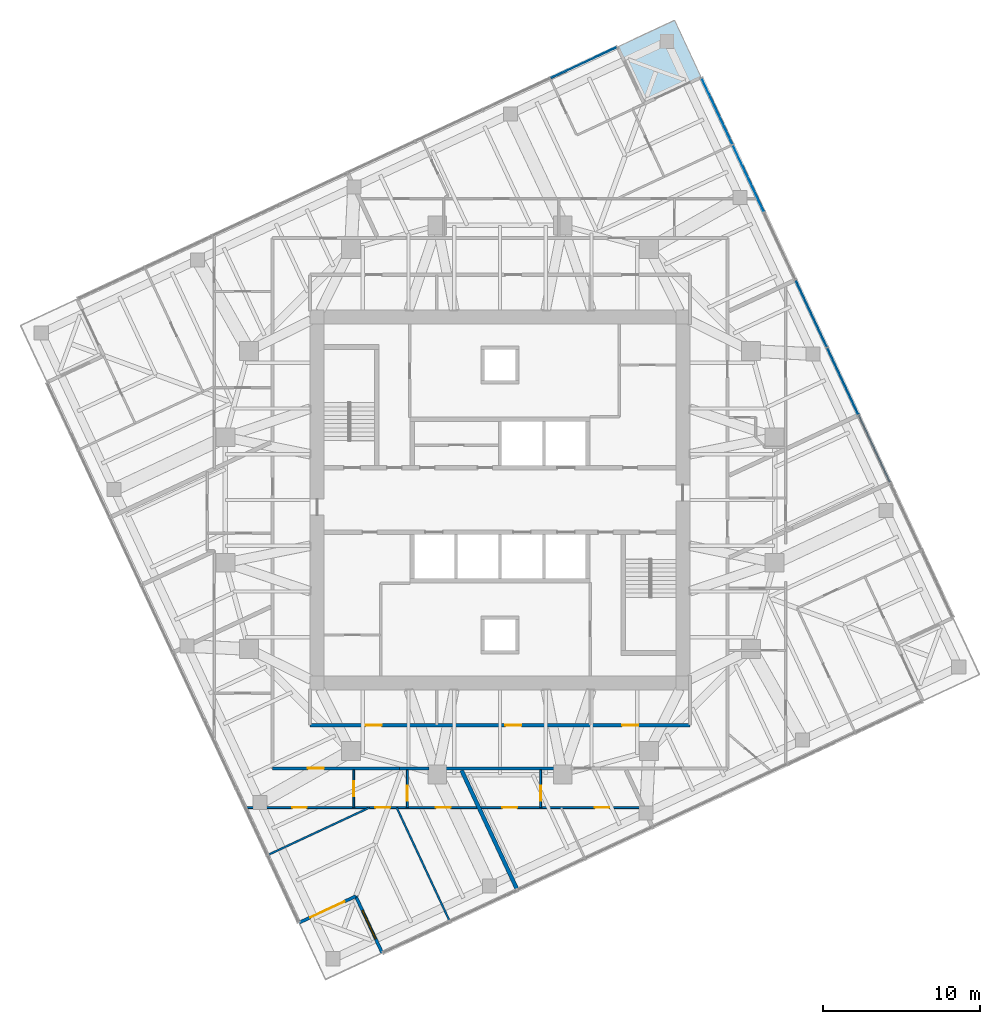
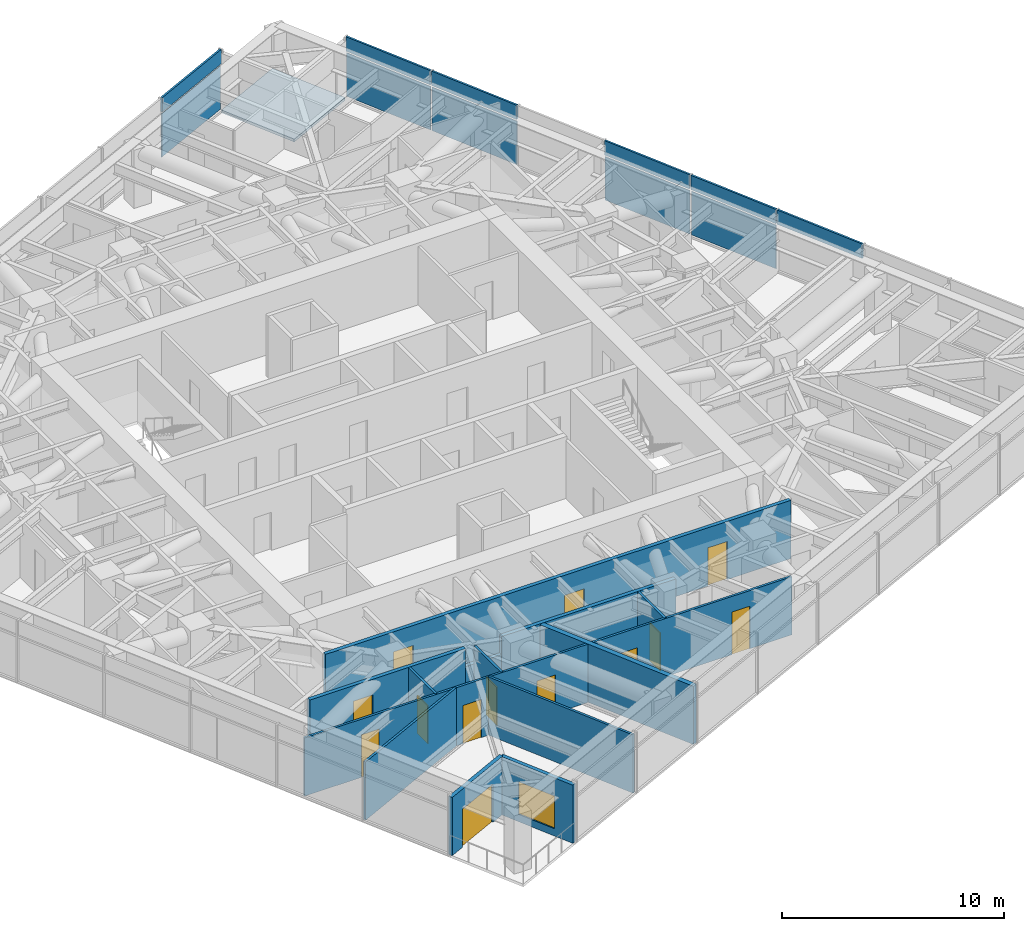
# One storey, part 9 of 16: 13 doors, 13 walls, 11 plates, 1 slab, 1 window, 14 openings, 2 elements without a shape of their own.
"""IFC4 building model written with IfcOpenShell, lengths in metres."""

from ifc_helpers import new_model, si_unit, direction, frame, frame_2d, origin, origin_2d, place, context, subcontext, project, spatial, polyline, rectangle, outline, extrude, material, layer, layer_set, type_object, element, fill, aggregate, save


model = new_model("IFC4")

# Units and contexts
model_context = context("Model", 3, precision=1e-05, world=origin(), true_north=direction((0.0, 1.0)))
body_context = subcontext(model_context, "Body", "Model", "MODEL_VIEW")
ifc_project = project(units=[si_unit("LENGTHUNIT", "METRE"), si_unit("AREAUNIT", "SQUARE_METRE"), si_unit("VOLUMEUNIT", "CUBIC_METRE"), si_unit("PLANEANGLEUNIT", "RADIAN"), si_unit("MASSUNIT", "GRAM", prefix="KILO")], contexts=[model_context])

# Site, building, storey
site_placement = place(None, origin())
site = spatial("IfcSite", under=ifc_project, at=site_placement, CompositionType="ELEMENT")
building_placement = place(site_placement, origin())
building = spatial("IfcBuilding", under=site, at=building_placement, Name="Torsade Residences", CompositionType="ELEMENT")
storey_placement = place(building_placement, frame((0.0, 0.0, 199.800048828125)))
storey = spatial("IfcBuildingStorey", under=building, at=storey_placement, Name="L55", CompositionType="ELEMENT", Elevation=199.800048828125)

# Curtain wall, plates
ifc_material_1 = material(Name="Aluminium and glass", Category="aluminium")
curtain_wall_type = type_object("IfcCurtainWallType", Name="FRITTED GLASS CURTAIN WALL MID ZONE", PredefinedType="NOTDEFINED", material=ifc_material_1)
curtain_wall_1_placement = place(storey_placement, origin())
curtain_wall_1 = element("IfcCurtainWall", 1, at=curtain_wall_1_placement, inside=storey, type_object=curtain_wall_type, Name="Curtain wall L55 face 4", PredefinedType="NOTDEFINED")
ifc_material_2 = material(Name="Laminated glass", Category="glass")
ifc_layer_1 = layer(ifc_material_2, 0.031982421875)
ifc_layer_set_1 = layer_set([ifc_layer_1], Name="Laminated glass")
plate_type_1 = type_object("IfcPlateType", Name="FRITTED GLASS PANEL", PredefinedType="CURTAIN_PANEL", material=ifc_layer_set_1)
plate_1_placement = place(storey_placement, frame((61.848876953125, 37.567626953125, 0.10986328125), z_axis=(0.0, 0.0, 1.0), x_axis=(-0.422618261978, 0.906307786926, 0.0)))
plate_1 = element("IfcPlate", 2, at=plate_1_placement, type_object=plate_type_1, Name="Panel 4", PredefinedType="CURTAIN_PANEL", context=body_context, shape_type="SweptSolid", body=[
    extrude(rectangle(XDim=4.669921875, YDim=0.031982421875, at=origin_2d()), origin(), (0.0, 0.0, 1.0), 2.389892578125),
])
plate_2_placement = place(storey_placement, frame((59.84130859375, 41.872802734375, 0.10986328125), z_axis=(0.0, 0.0, 1.0), x_axis=(-0.422618261978, 0.906307786926, 0.0)))
plate_2 = element("IfcPlate", 3, at=plate_2_placement, type_object=plate_type_1, Name="Panel 5", PredefinedType="CURTAIN_PANEL", context=body_context, shape_type="SweptSolid", body=[
    extrude(rectangle(XDim=4.669921875, YDim=0.031982421875, at=origin_2d()), origin(), (0.0, 0.0, 1.0), 2.389892578125),
])
plate_3_placement = place(storey_placement, frame((55.826416015625, 50.482666015625, 0.10986328125), z_axis=(0.0, 0.0, 1.0), x_axis=(-0.422618261978, 0.906307786926, 0.0)))
plate_3 = element("IfcPlate", 4, at=plate_3_placement, type_object=plate_type_1, Name="Panel 7", PredefinedType="CURTAIN_PANEL", context=body_context, shape_type="SweptSolid", body=[
    extrude(rectangle(XDim=4.669921875, YDim=0.031982421875, at=origin_2d()), origin(), (0.0, 0.0, 1.0), 2.389892578125),
])
plate_4_placement = place(storey_placement, frame((53.827392578125, 54.76953125, 0.10986328125), z_axis=(0.0, 0.0, 1.0), x_axis=(-0.422618261978, 0.906307786926, 0.0)))
plate_4 = element("IfcPlate", 5, at=plate_4_placement, type_object=plate_type_1, Name="Panel 8", PredefinedType="CURTAIN_PANEL", context=body_context, shape_type="SweptSolid", body=[
    extrude(rectangle(XDim=4.6298828125, YDim=0.031982421875, at=origin_2d()), origin(), (0.0, 0.0, 1.0), 2.389892578125),
])

# Curtain wall, plate
curtain_wall_2_placement = place(storey_placement, origin())
curtain_wall_2 = element("IfcCurtainWall", 6, at=curtain_wall_2_placement, inside=storey, type_object=curtain_wall_type, Name="Curtain wall L55 face 7", PredefinedType="NOTDEFINED")
plate_5_placement = place(storey_placement, frame((45.3291015625, 57.862548828125, 0.10986328125), z_axis=(0.0, 0.0, 1.0), x_axis=(-0.906307786926, -0.422618261978, 0.0)))
plate_5 = element("IfcPlate", 7, at=plate_5_placement, type_object=plate_type_1, Name="Panel 1", PredefinedType="CURTAIN_PANEL", context=body_context, shape_type="SweptSolid", body=[
    extrude(rectangle(XDim=4.6298828125, YDim=0.031982421875, at=origin_2d()), origin(), (0.0, 0.0, 1.0), 2.389892578125),
])

# Plate
ifc_material_3 = material(Name="Aluminium composite spandrel panel", Category="aluminium")
ifc_layer_2 = layer(ifc_material_3, 0.10009765625)
ifc_layer_set_2 = layer_set([ifc_layer_2], Name="Aluminium composite spandrel panel")
plate_type_2 = type_object("IfcPlateType", Name="OPAQUE SPANDREL PANEL", PredefinedType="CURTAIN_PANEL", material=ifc_layer_set_2)
plate_6_placement = place(storey_placement, frame((63.856201171875, 33.2626953125, 2.60986328125), z_axis=(0.0, 0.0, 1.0), x_axis=(-0.422618261978, 0.906307786926, 0.0)))
plate_6 = element("IfcPlate", 8, at=plate_6_placement, type_object=plate_type_2, Name="Spandrel panel 3", PredefinedType="CURTAIN_PANEL", context=body_context, shape_type="SweptSolid", body=[
    extrude(rectangle(XDim=4.669921875, YDim=0.10009765625, at=origin_2d()), origin(), (0.0, 0.0, 1.0), 0.7900390625),
])

plate_7_placement = place(storey_placement, frame((61.848876953125, 37.567626953125, 2.60986328125), z_axis=(0.0, 0.0, 1.0), x_axis=(-0.422618261978, 0.906307786926, 0.0)))
plate_7 = element("IfcPlate", 9, at=plate_7_placement, type_object=plate_type_2, Name="Spandrel panel 4", PredefinedType="CURTAIN_PANEL", context=body_context, shape_type="SweptSolid", body=[
    extrude(rectangle(XDim=4.669921875, YDim=0.10009765625, at=origin_2d()), origin(), (0.0, 0.0, 1.0), 0.7900390625),
])

plate_8_placement = place(storey_placement, frame((59.84130859375, 41.872802734375, 2.60986328125), z_axis=(0.0, 0.0, 1.0), x_axis=(-0.422618261978, 0.906307786926, 0.0)))
plate_8 = element("IfcPlate", 10, at=plate_8_placement, type_object=plate_type_2, Name="Spandrel panel 5", PredefinedType="CURTAIN_PANEL", context=body_context, shape_type="SweptSolid", body=[
    extrude(rectangle(XDim=4.669921875, YDim=0.10009765625, at=origin_2d()), origin(), (0.0, 0.0, 1.0), 0.7900390625),
])

plate_9_placement = place(storey_placement, frame((55.826416015625, 50.482666015625, 2.60986328125), z_axis=(0.0, 0.0, 1.0), x_axis=(-0.422618261978, 0.906307786926, 0.0)))
plate_9 = element("IfcPlate", 11, at=plate_9_placement, type_object=plate_type_2, Name="Spandrel panel 7", PredefinedType="CURTAIN_PANEL", context=body_context, shape_type="SweptSolid", body=[
    extrude(rectangle(XDim=4.669921875, YDim=0.10009765625, at=origin_2d()), origin(), (0.0, 0.0, 1.0), 0.7900390625),
])

plate_10_placement = place(storey_placement, frame((53.827392578125, 54.76953125, 2.60986328125), z_axis=(0.0, 0.0, 1.0), x_axis=(-0.422618261978, 0.906307786926, 0.0)))
plate_10 = element("IfcPlate", 12, at=plate_10_placement, type_object=plate_type_2, Name="Spandrel panel 8", PredefinedType="CURTAIN_PANEL", context=body_context, shape_type="SweptSolid", body=[
    extrude(rectangle(XDim=4.6298828125, YDim=0.10009765625, at=origin_2d()), origin(), (0.0, 0.0, 1.0), 0.7900390625),
])

aggregate(curtain_wall_1, [plate_6, plate_1, plate_7, plate_2, plate_8, plate_3, plate_9, plate_4, plate_10])

plate_11_placement = place(storey_placement, frame((45.3291015625, 57.862548828125, 2.60986328125), z_axis=(0.0, 0.0, 1.0), x_axis=(-0.906307786926, -0.422618261978, 0.0)))
plate_11 = element("IfcPlate", 13, at=plate_11_placement, type_object=plate_type_2, Name="Spandrel panel 1", PredefinedType="CURTAIN_PANEL", context=body_context, shape_type="SweptSolid", body=[
    extrude(rectangle(XDim=4.6298828125, YDim=0.10009765625, at=origin_2d()), origin(), (0.0, 0.0, 1.0), 0.7900390625),
])

aggregate(curtain_wall_2, [plate_5, plate_11])

# Slab
ifc_material_4 = material(Name="Concrete 40 MPa", Category="concrete")
ifc_layer_3 = layer(ifc_material_4, 0.14990234375)
ifc_layer_set_3 = layer_set([ifc_layer_3], Name="Concrete 40 MPa")
slab_type = type_object("IfcSlabType", Name="TERRACE SLAB 150", PredefinedType="FLOOR", material=ifc_layer_set_3)
slab_placement = place(storey_placement, frame((0.0, 0.0, -0.150146484375)))
element("IfcSlab", 14, at=slab_placement, inside=storey, type_object=slab_type, Name="Corner terrace slab NE L55", PredefinedType="FLOOR", context=body_context, shape_type="SweptSolid", body=[
    extrude(outline(polyline([(49.190185546875, 55.24951171875), (52.8154296875, 56.940185546875), (51.124755859375, 60.565185546875), (47.49951171875, 58.874755859375), (49.190185546875, 55.24951171875)])), origin(), (0.0, 0.0, 1.0), 0.150146484375),
])

# Wall, opening, door
ifc_material_5 = material(Name="Plasterboard on steel stud", Category="steel")
ifc_layer_4 = layer(ifc_material_5, 0.199951171875)
ifc_layer_set_4 = layer_set([ifc_layer_4], Name="Plasterboard on steel stud")
wall_type_1 = type_object("IfcWallType", Name="CORRIDOR WALL 200", PredefinedType="PARTITIONING", material=ifc_layer_set_4)
wall_1_placement = place(storey_placement, frame((25.5, 12.89990234375, 0.0), z_axis=(0.0, 0.0, 1.0), x_axis=(1.0, 0.0, 0.0)))
wall_1 = element("IfcWall", 15, at=wall_1_placement, inside=storey, type_object=wall_type_1, Name="Corridor wall L55", PredefinedType="PARTITIONING", context=body_context, shape_type="SweptSolid", body=[
    extrude(rectangle(XDim=8.0966796875, YDim=0.199951171875, at=frame_2d((4.04833984375, 0.0))), origin(), (0.0, 0.0, 1.0), 3.199951171875),
])
opening_1_placement = place(wall_1_placement, frame((2.253662109375, 0.0, 0.0)))
opening_1 = element("IfcOpeningElement", 16, at=opening_1_placement, cuts=wall_1, Name="Opening D01", PredefinedType="OPENING", context=body_context, shape_type="SweptSolid", body=[
    extrude(rectangle(XDim=1.02001953125, YDim=2.340087890625, at=frame_2d((0.510009765625, 1.169921875))), frame((0.0, 0.10986328125, 0.0), z_axis=(0.0, -1.0, 0.0), x_axis=(1.0, 0.0, 0.0)), (0.0, 0.0, 1.0), 0.219970703125),
])
ifc_material_6 = material(Name="Solid-core timber fire door", Category="wood")
door_type_1 = type_object("IfcDoorType", Name="APARTMENT ENTRY DOOR 1020x2340", OperationType="NOTDEFINED", PredefinedType="DOOR", material=ifc_material_6)
door_1_placement = place(opening_1_placement, origin())
door_1 = element("IfcDoor", 17, at=door_1_placement, inside=storey, type_object=door_type_1, Name="Door Residential corridor to Kitchen and dining", OperationType="SINGLE_SWING_LEFT", OverallHeight=2.340087890625, OverallWidth=1.02001953125, PredefinedType="DOOR", context=body_context, shape_type="SweptSolid", body=[
    extrude(rectangle(XDim=1.02001953125, YDim=2.340087890625, at=frame_2d((0.510009765625, 1.169921875))), frame((0.0, 0.02490234375, 0.0), z_axis=(0.0, -1.0, 0.0), x_axis=(1.0, 0.0, 0.0)), (0.0, 0.0, 1.0), 0.050048828125),
])
fill(opening_1, door_1)

# Walls
wall_2_placement = place(storey_placement, frame((33.5966796875, 12.89990234375, 0.0), z_axis=(0.0, 0.0, 1.0), x_axis=(1.0, 0.0, 0.0)))
element("IfcWall", 18, at=wall_2_placement, inside=storey, type_object=wall_type_1, Name="Corridor wall L55", PredefinedType="PARTITIONING", context=body_context, shape_type="SweptSolid", body=[
    extrude(rectangle(XDim=1.873291015625, YDim=0.199951171875, at=frame_2d((0.9365234375, 0.0))), origin(), (0.0, 0.0, 1.0), 2.199951171875),
])
wall_3_placement = place(storey_placement, frame((35.469970703125, 12.89990234375, 0.0), z_axis=(0.0, 0.0, 1.0), x_axis=(1.0, 0.0, 0.0)))
element("IfcWall", 19, at=wall_3_placement, inside=storey, type_object=wall_type_1, Name="Corridor wall L55", PredefinedType="PARTITIONING", context=body_context, shape_type="SweptSolid", body=[
    extrude(rectangle(XDim=9.06005859375, YDim=0.199951171875, at=frame_2d((4.530029296875, 0.0))), origin(), (0.0, 0.0, 1.0), 3.199951171875),
])

# Wall, openings, doors
wall_4_placement = place(storey_placement, frame((27.89990234375, 15.64990234375, 0.0), z_axis=(0.0, 0.0, 1.0), x_axis=(1.0, 0.0, 0.0)))
wall_4 = element("IfcWall", 20, at=wall_4_placement, inside=storey, type_object=wall_type_1, Name="Corridor wall L55", PredefinedType="PARTITIONING", context=body_context, shape_type="SweptSolid", body=[
    extrude(rectangle(XDim=24.2001953125, YDim=0.199951171875, at=frame_2d((12.10009765625, 0.0))), origin(), (0.0, 0.0, 1.0), 3.199951171875),
])
opening_2_placement = place(wall_4_placement, frame((12.43701171875, 0.0, 0.0)))
opening_2 = element("IfcOpeningElement", 21, at=opening_2_placement, cuts=wall_4, Name="Opening D03", PredefinedType="OPENING", context=body_context, shape_type="SweptSolid", body=[
    extrude(rectangle(XDim=1.02001953125, YDim=2.10009765625, at=frame_2d((0.510009765625, 1.050048828125))), frame((0.0, 0.10986328125, 0.0), z_axis=(0.0, -1.0, 0.0), x_axis=(1.0, 0.0, 0.0)), (0.0, 0.0, 1.0), 0.219970703125),
])
opening_3_placement = place(wall_4_placement, frame((3.544189453125, 0.0, 0.0)))
opening_3 = element("IfcOpeningElement", 22, at=opening_3_placement, cuts=wall_4, Name="Opening D03", PredefinedType="OPENING", context=body_context, shape_type="SweptSolid", body=[
    extrude(rectangle(XDim=1.02001953125, YDim=2.10009765625, at=frame_2d((0.510009765625, 1.050048828125))), frame((0.0, 0.10986328125, 0.0), z_axis=(0.0, -1.0, 0.0), x_axis=(1.0, 0.0, 0.0)), (0.0, 0.0, 1.0), 0.219970703125),
])
opening_4_placement = place(wall_4_placement, frame((19.8828125, 0.0, 0.0)))
opening_4 = element("IfcOpeningElement", 23, at=opening_4_placement, cuts=wall_4, Name="Opening D03", PredefinedType="OPENING", context=body_context, shape_type="SweptSolid", body=[
    extrude(rectangle(XDim=1.02001953125, YDim=2.10009765625, at=frame_2d((0.510009765625, 1.050048828125))), frame((0.0, 0.10986328125, 0.0), z_axis=(0.0, -1.0, 0.0), x_axis=(1.0, 0.0, 0.0)), (0.0, 0.0, 1.0), 0.219970703125),
])
ifc_material_7 = material(Name="Steel-framed fire door", Category="steel")
door_type_2 = type_object("IfcDoorType", Name="FIRE DOOR 1020", OperationType="NOTDEFINED", PredefinedType="DOOR", material=ifc_material_7)
door_2_placement = place(opening_2_placement, origin())
door_2 = element("IfcDoor", 24, at=door_2_placement, inside=storey, type_object=door_type_2, Name="Door Residential corridor to Bulk store", OperationType="SINGLE_SWING_RIGHT", OverallHeight=2.10009765625, OverallWidth=1.02001953125, PredefinedType="DOOR", context=body_context, shape_type="SweptSolid", body=[
    extrude(rectangle(XDim=1.02001953125, YDim=2.10009765625, at=frame_2d((0.510009765625, 1.050048828125))), frame((0.0, 0.02490234375, 0.0), z_axis=(0.0, -1.0, 0.0), x_axis=(1.0, 0.0, 0.0)), (0.0, 0.0, 1.0), 0.050048828125),
])
fill(opening_2, door_2)
door_3_placement = place(opening_3_placement, origin())
door_3 = element("IfcDoor", 25, at=door_3_placement, inside=storey, type_object=door_type_2, Name="Door Residential corridor to Residents storage", OperationType="SINGLE_SWING_RIGHT", OverallHeight=2.10009765625, OverallWidth=1.02001953125, PredefinedType="DOOR", context=body_context, shape_type="SweptSolid", body=[
    extrude(rectangle(XDim=1.02001953125, YDim=2.10009765625, at=frame_2d((0.510009765625, 1.050048828125))), frame((0.0, 0.02490234375, 0.0), z_axis=(0.0, -1.0, 0.0), x_axis=(1.0, 0.0, 0.0)), (0.0, 0.0, 1.0), 0.050048828125),
])
fill(opening_3, door_3)
door_4_placement = place(opening_4_placement, origin())
door_4 = element("IfcDoor", 26, at=door_4_placement, inside=storey, type_object=door_type_2, Name="Door Residential corridor to Parcel room", OperationType="SINGLE_SWING_LEFT", OverallHeight=2.10009765625, OverallWidth=1.02001953125, PredefinedType="DOOR", context=body_context, shape_type="SweptSolid", body=[
    extrude(rectangle(XDim=1.02001953125, YDim=2.10009765625, at=frame_2d((0.510009765625, 1.050048828125))), frame((0.0, 0.02490234375, 0.0), z_axis=(0.0, -1.0, 0.0), x_axis=(1.0, 0.0, 0.0)), (0.0, 0.0, 1.0), 0.050048828125),
])
fill(opening_4, door_4)

# Wall, opening, door
ifc_material_8 = material(Name="Plasterboard on steel stud", Category="steel")
ifc_layer_5 = layer(ifc_material_8, 0.1201171875)
ifc_layer_set_5 = layer_set([ifc_layer_5], Name="Plasterboard on steel stud")
wall_type_2 = type_object("IfcWallType", Name="PARTITION 120", PredefinedType="PARTITIONING", material=ifc_layer_set_5)
wall_5_placement = place(storey_placement, frame((30.677490234375, 12.800048828125, 0.0), z_axis=(0.0, 0.0, 1.0), x_axis=(0.0, -1.0, 0.0)))
wall_5 = element("IfcWall", 27, at=wall_5_placement, inside=storey, type_object=wall_type_2, Name="Partition L55", PredefinedType="PARTITIONING", context=body_context, shape_type="SweptSolid", body=[
    extrude(rectangle(XDim=2.400146484375, YDim=0.1201171875, at=frame_2d((1.2001953125, 0.0))), origin(), (0.0, 0.0, 1.0), 3.199951171875),
])
opening_5_placement = place(wall_5_placement, frame((0.719970703125, 0.0, 0.0)))
opening_5 = element("IfcOpeningElement", 28, at=opening_5_placement, cuts=wall_5, Name="Opening D05", PredefinedType="OPENING", context=body_context, shape_type="SweptSolid", body=[
    extrude(rectangle(XDim=0.9599609375, YDim=2.10009765625, at=frame_2d((0.47998046875, 1.050048828125))), frame((0.0, 0.070068359375, 0.0), z_axis=(0.0, -1.0, 0.0), x_axis=(1.0, 0.0, 0.0)), (0.0, 0.0, 1.0), 0.14013671875),
])
ifc_material_9 = material(Name="Hollow-core timber door in a steel cavity frame", Category="steel")
door_type_3 = type_object("IfcDoorType", Name="BATHROOM CAVITY SLIDING DOOR 960", OperationType="SLIDING_TO_LEFT", PredefinedType="DOOR", material=ifc_material_9)
door_5_placement = place(opening_5_placement, origin())
door_5 = element("IfcDoor", 29, at=door_5_placement, inside=storey, type_object=door_type_3, Name="Door Kitchen and dining to Laundry", OperationType="SLIDING_TO_LEFT", OverallHeight=2.10009765625, OverallWidth=0.9599609375, PredefinedType="DOOR", context=body_context, shape_type="SweptSolid", body=[
    extrude(rectangle(XDim=0.9599609375, YDim=2.10009765625, at=frame_2d((0.47998046875, 1.050048828125))), frame((0.0, 0.02490234375, 0.0), z_axis=(0.0, -1.0, 0.0), x_axis=(1.0, 0.0, 0.0)), (0.0, 0.0, 1.0), 0.050048828125),
])
fill(opening_5, door_5)

# Wall, openings, doors
wall_6_placement = place(storey_placement, frame((49.1396484375, 10.39990234375, 0.0), z_axis=(0.0, 0.0, 1.0), x_axis=(-1.0, 0.0, 0.0)))
wall_6 = element("IfcWall", 30, at=wall_6_placement, inside=storey, type_object=wall_type_2, Name="Partition L55", PredefinedType="PARTITIONING", context=body_context, shape_type="SweptSolid", body=[
    extrude(rectangle(XDim=25.33349609375, YDim=0.1201171875, at=frame_2d((12.666748046875, 0.0))), origin(), (0.0, 0.0, 1.0), 3.199951171875),
])
opening_6_placement = place(wall_6_placement, frame((2.18798828125, 0.0, 0.0)))
opening_6 = element("IfcOpeningElement", 31, at=opening_6_placement, cuts=wall_6, Name="Opening D02", PredefinedType="OPENING", context=body_context, shape_type="SweptSolid", body=[
    extrude(rectangle(XDim=0.919921875, YDim=2.340087890625, at=frame_2d((0.4599609375, 1.169921875))), frame((0.0, 0.070068359375, 0.0), z_axis=(0.0, -1.0, 0.0), x_axis=(1.0, 0.0, 0.0)), (0.0, 0.0, 1.0), 0.14013671875),
])
opening_7_placement = place(wall_6_placement, frame((21.4599609375, 0.0, 0.0)))
opening_7 = element("IfcOpeningElement", 32, at=opening_7_placement, cuts=wall_6, Name="Opening D02", PredefinedType="OPENING", context=body_context, shape_type="SweptSolid", body=[
    extrude(rectangle(XDim=0.919921875, YDim=2.340087890625, at=frame_2d((0.4599609375, 1.169921875))), frame((0.0, 0.070068359375, 0.0), z_axis=(0.0, -1.0, 0.0), x_axis=(1.0, 0.0, 0.0)), (0.0, 0.0, 1.0), 0.14013671875),
])
opening_8_placement = place(wall_6_placement, frame((8.034912109375, 0.0, 0.0)))
opening_8 = element("IfcOpeningElement", 33, at=opening_8_placement, cuts=wall_6, Name="Opening D05", PredefinedType="OPENING", context=body_context, shape_type="SweptSolid", body=[
    extrude(rectangle(XDim=0.9599609375, YDim=2.10009765625, at=frame_2d((0.47998046875, 1.050048828125))), frame((0.0, 0.070068359375, 0.0), z_axis=(0.0, -1.0, 0.0), x_axis=(1.0, 0.0, 0.0)), (0.0, 0.0, 1.0), 0.14013671875),
])
opening_9_placement = place(wall_6_placement, frame((16.139892578125, 0.0, 0.0)))
opening_9 = element("IfcOpeningElement", 34, at=opening_9_placement, cuts=wall_6, Name="Opening D05", PredefinedType="OPENING", context=body_context, shape_type="SweptSolid", body=[
    extrude(rectangle(XDim=0.9599609375, YDim=2.10009765625, at=frame_2d((0.47998046875, 1.050048828125))), frame((0.0, 0.070068359375, 0.0), z_axis=(0.0, -1.0, 0.0), x_axis=(1.0, 0.0, 0.0)), (0.0, 0.0, 1.0), 0.14013671875),
])
opening_10_placement = place(wall_6_placement, frame((12.282958984375, 0.0, 0.0)))
opening_10 = element("IfcOpeningElement", 35, at=opening_10_placement, cuts=wall_6, Name="Opening D05", PredefinedType="OPENING", context=body_context, shape_type="SweptSolid", body=[
    extrude(rectangle(XDim=0.9599609375, YDim=2.10009765625, at=frame_2d((0.47998046875, 1.050048828125))), frame((0.0, 0.070068359375, 0.0), z_axis=(0.0, -1.0, 0.0), x_axis=(1.0, 0.0, 0.0)), (0.0, 0.0, 1.0), 0.14013671875),
])
door_6_placement = place(opening_8_placement, origin())
door_6 = element("IfcDoor", 36, at=door_6_placement, inside=storey, type_object=door_type_3, Name="Door Bathroom to Living room", OperationType="SLIDING_TO_LEFT", OverallHeight=2.10009765625, OverallWidth=0.9599609375, PredefinedType="DOOR", context=body_context, shape_type="SweptSolid", body=[
    extrude(rectangle(XDim=0.9599609375, YDim=2.10009765625, at=frame_2d((0.47998046875, 1.050048828125))), frame((0.0, 0.02490234375, 0.0), z_axis=(0.0, -1.0, 0.0), x_axis=(1.0, 0.0, 0.0)), (0.0, 0.0, 1.0), 0.050048828125),
])
fill(opening_8, door_6)
door_7_placement = place(opening_9_placement, origin())
door_7 = element("IfcDoor", 37, at=door_7_placement, inside=storey, type_object=door_type_3, Name="Door Laundry to Living room", OperationType="SLIDING_TO_LEFT", OverallHeight=2.10009765625, OverallWidth=0.9599609375, PredefinedType="DOOR", context=body_context, shape_type="SweptSolid", body=[
    extrude(rectangle(XDim=0.9599609375, YDim=2.10009765625, at=frame_2d((0.47998046875, 1.050048828125))), frame((0.0, 0.02490234375, 0.0), z_axis=(0.0, -1.0, 0.0), x_axis=(1.0, 0.0, 0.0)), (0.0, 0.0, 1.0), 0.050048828125),
])
fill(opening_9, door_7)
door_8_placement = place(opening_10_placement, origin())
door_8 = element("IfcDoor", 38, at=door_8_placement, inside=storey, type_object=door_type_3, Name="Door Ensuite to Bedroom 1", OperationType="SLIDING_TO_LEFT", OverallHeight=2.10009765625, OverallWidth=0.9599609375, PredefinedType="DOOR", context=body_context, shape_type="SweptSolid", body=[
    extrude(rectangle(XDim=0.9599609375, YDim=2.10009765625, at=frame_2d((0.47998046875, 1.050048828125))), frame((0.0, 0.02490234375, 0.0), z_axis=(0.0, -1.0, 0.0), x_axis=(1.0, 0.0, 0.0)), (0.0, 0.0, 1.0), 0.050048828125),
])
fill(opening_10, door_8)
ifc_material_10 = material(Name="Hollow-core timber door", Category="wood")
door_type_4 = type_object("IfcDoorType", Name="INTERNAL DOOR 920x2340", OperationType="NOTDEFINED", PredefinedType="DOOR", material=ifc_material_10)
door_9_placement = place(opening_6_placement, origin())
door_9 = element("IfcDoor", 39, at=door_9_placement, inside=storey, type_object=door_type_4, Name="Door Kitchen and dining to Bedroom 1", OperationType="SINGLE_SWING_LEFT", OverallHeight=2.340087890625, OverallWidth=0.919921875, PredefinedType="DOOR", context=body_context, shape_type="SweptSolid", body=[
    extrude(rectangle(XDim=0.919921875, YDim=2.340087890625, at=frame_2d((0.4599609375, 1.169921875))), frame((0.0, 0.02490234375, 0.0), z_axis=(0.0, -1.0, 0.0), x_axis=(1.0, 0.0, 0.0)), (0.0, 0.0, 1.0), 0.050048828125),
])
fill(opening_6, door_9)
door_10_placement = place(opening_7_placement, origin())
door_10 = element("IfcDoor", 40, at=door_10_placement, inside=storey, type_object=door_type_4, Name="Door Kitchen and dining to Bedroom 2", OperationType="SINGLE_SWING_LEFT", OverallHeight=2.340087890625, OverallWidth=0.919921875, PredefinedType="DOOR", context=body_context, shape_type="SweptSolid", body=[
    extrude(rectangle(XDim=0.919921875, YDim=2.340087890625, at=frame_2d((0.4599609375, 1.169921875))), frame((0.0, 0.02490234375, 0.0), z_axis=(0.0, -1.0, 0.0), x_axis=(1.0, 0.0, 0.0)), (0.0, 0.0, 1.0), 0.050048828125),
])
fill(opening_7, door_10)

# Wall, opening, door
wall_7_placement = place(storey_placement, frame((34.095703125, 10.39990234375, 0.0), z_axis=(0.0, 0.0, 1.0), x_axis=(0.0, 1.0, 0.0)))
wall_7 = element("IfcWall", 41, at=wall_7_placement, inside=storey, type_object=wall_type_2, Name="Partition L55", PredefinedType="PARTITIONING", context=body_context, shape_type="SweptSolid", body=[
    extrude(rectangle(XDim=2.400146484375, YDim=0.1201171875, at=frame_2d((1.2001953125, 0.0))), origin(), (0.0, 0.0, 1.0), 3.199951171875),
])
opening_11_placement = place(wall_7_placement, frame((0.419921875, 0.0, 0.0)))
opening_11 = element("IfcOpeningElement", 42, at=opening_11_placement, cuts=wall_7, Name="Opening D05", PredefinedType="OPENING", context=body_context, shape_type="SweptSolid", body=[
    extrude(rectangle(XDim=0.9599609375, YDim=2.10009765625, at=frame_2d((0.47998046875, 1.050048828125))), frame((0.0, 0.070068359375, 0.0), z_axis=(0.0, -1.0, 0.0), x_axis=(1.0, 0.0, 0.0)), (0.0, 0.0, 1.0), 0.14013671875),
])
door_11_placement = place(opening_11_placement, origin())
door_11 = element("IfcDoor", 43, at=door_11_placement, inside=storey, type_object=door_type_3, Name="Door Laundry to Ensuite", OperationType="SLIDING_TO_LEFT", OverallHeight=2.10009765625, OverallWidth=0.9599609375, PredefinedType="DOOR", context=body_context, shape_type="SweptSolid", body=[
    extrude(rectangle(XDim=0.9599609375, YDim=2.10009765625, at=frame_2d((0.47998046875, 1.050048828125))), frame((0.0, 0.02490234375, 0.0), z_axis=(0.0, -1.0, 0.0), x_axis=(1.0, 0.0, 0.0)), (0.0, 0.0, 1.0), 0.050048828125),
])
fill(opening_11, door_11)

# Walls
wall_8_placement = place(storey_placement, frame((33.41650390625, 10.39990234375, 0.0), z_axis=(0.0, 0.0, 1.0), x_axis=(0.422640876946, -0.90629724105, 0.0)))
element("IfcWall", 44, at=wall_8_placement, inside=storey, type_object=wall_type_2, Name="Partition L55", PredefinedType="PARTITIONING", context=body_context, shape_type="SweptSolid", body=[
    extrude(rectangle(XDim=7.978515625, YDim=0.1201171875, at=frame_2d((3.9892578125, 0.0))), origin(), (0.0, 0.0, 1.0), 3.199951171875),
])
wall_9_placement = place(storey_placement, frame((25.21337890625, 7.3818359375, 0.0), z_axis=(0.0, 0.0, 1.0), x_axis=(0.906317589158, 0.422597240388, 0.0)))
element("IfcWall", 45, at=wall_9_placement, inside=storey, type_object=wall_type_2, Name="Partition L55", PredefinedType="PARTITIONING", context=body_context, shape_type="SweptSolid", body=[
    extrude(rectangle(XDim=7.1416015625, YDim=0.1201171875, at=frame_2d((3.57080078125, 0.0))), origin(), (0.0, 0.0, 1.0), 3.199951171875),
])

# Wall, opening, door
wall_10_placement = place(storey_placement, frame((42.591796875, 10.39990234375, 0.0), z_axis=(0.0, 0.0, 1.0), x_axis=(0.0, 1.0, 0.0)))
wall_10 = element("IfcWall", 46, at=wall_10_placement, inside=storey, type_object=wall_type_2, Name="Partition L55", PredefinedType="PARTITIONING", context=body_context, shape_type="SweptSolid", body=[
    extrude(rectangle(XDim=2.400146484375, YDim=0.1201171875, at=frame_2d((1.2001953125, 0.0))), origin(), (0.0, 0.0, 1.0), 3.199951171875),
])
opening_12_placement = place(wall_10_placement, frame((0.419921875, 0.0, 0.0)))
opening_12 = element("IfcOpeningElement", 47, at=opening_12_placement, cuts=wall_10, Name="Opening D05", PredefinedType="OPENING", context=body_context, shape_type="SweptSolid", body=[
    extrude(rectangle(XDim=0.9599609375, YDim=2.10009765625, at=frame_2d((0.47998046875, 1.050048828125))), frame((0.0, 0.070068359375, 0.0), z_axis=(0.0, -1.0, 0.0), x_axis=(1.0, 0.0, 0.0)), (0.0, 0.0, 1.0), 0.14013671875),
])
door_12_placement = place(opening_12_placement, origin())
door_12 = element("IfcDoor", 48, at=door_12_placement, inside=storey, type_object=door_type_3, Name="Door Kitchen and dining to Bathroom", OperationType="SLIDING_TO_LEFT", OverallHeight=2.10009765625, OverallWidth=0.9599609375, PredefinedType="DOOR", context=body_context, shape_type="SweptSolid", body=[
    extrude(rectangle(XDim=0.9599609375, YDim=2.10009765625, at=frame_2d((0.47998046875, 1.050048828125))), frame((0.0, 0.02490234375, 0.0), z_axis=(0.0, -1.0, 0.0), x_axis=(1.0, 0.0, 0.0)), (0.0, 0.0, 1.0), 0.050048828125),
])
fill(opening_12, door_12)

# Wall
ifc_material_11 = material(Name="Masonry-lined stud party wall", Category="masonry")
ifc_layer_6 = layer(ifc_material_11, 0.25)
ifc_layer_set_6 = layer_set([ifc_layer_6], Name="Masonry-lined stud party wall")
wall_type_3 = type_object("IfcWallType", Name="PARTY WALL 250", PredefinedType="PARTITIONING", material=ifc_layer_set_6)
wall_11_placement = place(storey_placement, frame((41.1103515625, 5.14013671875, 0.0), z_axis=(0.0, 0.0, 1.0), x_axis=(-0.422625541416, 0.906304392433, 0.0)))
element("IfcWall", 49, at=wall_11_placement, inside=storey, type_object=wall_type_3, Name="Party wall L55", PredefinedType="PARTITIONING", context=body_context, shape_type="SweptSolid", body=[
    extrude(rectangle(XDim=8.43359375, YDim=0.25, at=frame_2d((4.216796875, 0.0))), origin(), (0.0, 0.0, 1.0), 3.199951171875),
])

# Wall, opening, door
ifc_material_12 = material(Name="Stone-faced precast concrete 40 MPa panel", Category="masonry")
ifc_layer_7 = layer(ifc_material_12, 0.199951171875)
ifc_layer_set_7 = layer_set([ifc_layer_7], Name="Stone-faced precast concrete 40 MPa panel")
wall_type_4 = type_object("IfcWallType", Name="TERRACE WALL 200", PredefinedType="SOLIDWALL", material=ifc_layer_set_7)
wall_12_placement = place(storey_placement, frame((27.1845703125, 3.059814453125, 0.0), z_axis=(0.0, 0.0, 1.0), x_axis=(0.906289140828, 0.422658246362, 0.0)))
wall_12 = element("IfcWall", 50, at=wall_12_placement, inside=storey, type_object=wall_type_4, Name="Terrace wall L55 11", PredefinedType="SOLIDWALL", context=body_context, shape_type="SweptSolid", body=[
    extrude(rectangle(XDim=4.0, YDim=0.199951171875, at=frame_2d((2.0, 0.0))), origin(), (0.0, 0.0, 1.0), 3.199951171875),
])
opening_13_placement = place(wall_12_placement, frame((0.800048828125, 0.0, 0.0)))
opening_13 = element("IfcOpeningElement", 51, at=opening_13_placement, cuts=wall_12, Name="Opening D10A", PredefinedType="OPENING", context=body_context, shape_type="SweptSolid", body=[
    extrude(rectangle(XDim=2.39990234375, YDim=2.10009765625, at=frame_2d((1.199951171875, 1.050048828125))), frame((0.0, 0.10986328125, 0.0), z_axis=(0.0, -1.0, 0.0), x_axis=(1.0, 0.0, 0.0)), (0.0, 0.0, 1.0), 0.219970703125),
])
ifc_material_13 = material(Name="Aluminium-framed glass door", Category="aluminium")
door_type_5 = type_object("IfcDoorType", Name="TERRACE SLIDING DOOR 2400x2100", OperationType="SLIDING_TO_LEFT", PredefinedType="DOOR", material=ifc_material_13)
door_13_placement = place(opening_13_placement, origin())
door_13 = element("IfcDoor", 52, at=door_13_placement, inside=storey, type_object=door_type_5, Name="Terrace door L55 11", OperationType="SLIDING_TO_LEFT", OverallHeight=2.10009765625, OverallWidth=2.39990234375, PredefinedType="DOOR", context=body_context, shape_type="SweptSolid", body=[
    extrude(rectangle(XDim=2.39990234375, YDim=2.10009765625, at=frame_2d((1.199951171875, 1.050048828125))), frame((0.0, 0.02490234375, 0.0), z_axis=(0.0, -1.0, 0.0), x_axis=(1.0, 0.0, 0.0)), (0.0, 0.0, 1.0), 0.050048828125),
])
fill(opening_13, door_13)

# Wall, opening, window
wall_13_placement = place(storey_placement, frame((30.809814453125, 4.75048828125, 0.0), z_axis=(0.0, 0.0, 1.0), x_axis=(0.422658246362, -0.906289140828, 0.0)))
wall_13 = element("IfcWall", 53, at=wall_13_placement, inside=storey, type_object=wall_type_4, Name="Terrace wall L55 12", PredefinedType="SOLIDWALL", context=body_context, shape_type="SweptSolid", body=[
    extrude(rectangle(XDim=4.0, YDim=0.199951171875, at=frame_2d((2.0, 0.0))), origin(), (0.0, 0.0, 1.0), 3.199951171875),
])
opening_14_placement = place(wall_13_placement, frame((1.0, 0.0, 0.39990234375)))
opening_14 = element("IfcOpeningElement", 54, at=opening_14_placement, cuts=wall_13, Name="Opening W1B", PredefinedType="OPENING", context=body_context, shape_type="SweptSolid", body=[
    extrude(rectangle(XDim=2.0, YDim=1.800048828125, at=frame_2d((1.0, 0.89990234375))), frame((0.0, 0.10986328125, 0.0), z_axis=(0.0, -1.0, 0.0), x_axis=(1.0, 0.0, 0.0)), (0.0, 0.0, 1.0), 0.219970703125),
])
ifc_material_14 = material(Name="Aluminium-framed glass window", Category="aluminium")
window_type = type_object("IfcWindowType", Name="TERRACE WINDOW 2000x1800", PartitioningType="SINGLE_PANEL", PredefinedType="WINDOW", material=ifc_material_14)
window_placement = place(opening_14_placement, origin())
window = element("IfcWindow", 55, at=window_placement, inside=storey, type_object=window_type, Name="Terrace window L55 12", OverallHeight=1.800048828125, OverallWidth=2.0, PartitioningType="SINGLE_PANEL", PredefinedType="WINDOW", context=body_context, shape_type="SweptSolid", body=[
    extrude(rectangle(XDim=2.0, YDim=1.800048828125, at=frame_2d((1.0, 0.89990234375))), frame((0.0, 0.030029296875, 0.0), z_axis=(0.0, -1.0, 0.0), x_axis=(1.0, 0.0, 0.0)), (0.0, 0.0, 1.0), 0.06005859375),
])
fill(opening_14, window)

save(model, "model.ifc")
